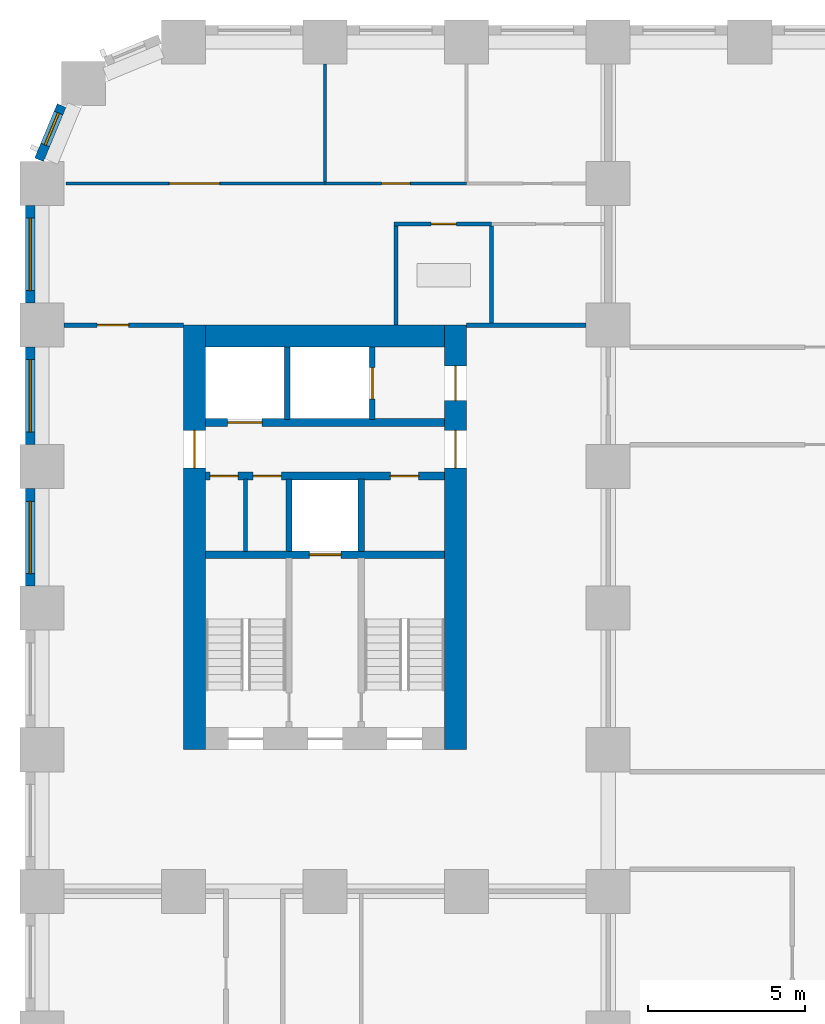
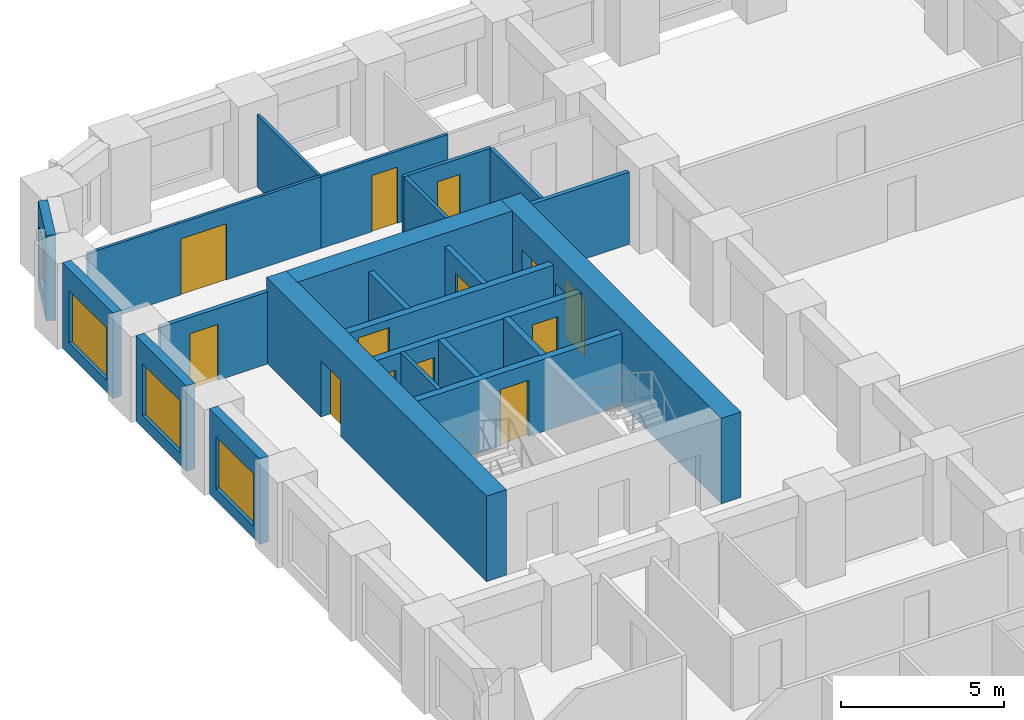
# One storey, part 6 of 12: 23 walls, 13 doors, 4 windows, 17 openings.
"""IFC4 building model written with IfcOpenShell, lengths in metres."""

from ifc_helpers import new_model, si_unit, direction, frame, frame_2d, origin, place, context, subcontext, project, spatial, rectangle, extrude, material, layer, layer_set, type_object, element, fill, save


model = new_model("IFC4")

# Units and contexts
model_context = context("Model", 3, precision=1e-05, world=origin(), true_north=direction((0.0, 1.0)))
body_context = subcontext(model_context, "Body", "Model", "MODEL_VIEW")
ifc_project = project(units=[si_unit("LENGTHUNIT", "METRE"), si_unit("AREAUNIT", "SQUARE_METRE"), si_unit("VOLUMEUNIT", "CUBIC_METRE"), si_unit("PLANEANGLEUNIT", "RADIAN"), si_unit("MASSUNIT", "GRAM", prefix="KILO")], contexts=[model_context])

# Site, building, storey
site_placement = place(None, origin())
site = spatial("IfcSite", under=ifc_project, at=site_placement, CompositionType="ELEMENT")
building_placement = place(site_placement, origin())
building = spatial("IfcBuilding", under=site, at=building_placement, Name="Girih Gate Residences", CompositionType="ELEMENT")
storey_placement = place(building_placement, frame((0.0, 0.0, 72.0)))
storey = spatial("IfcBuildingStorey", under=building, at=storey_placement, Name="L19", CompositionType="ELEMENT", Elevation=72.0)

# Wall
ifc_material_1 = material(Name="Gypsum board on steel studs", Category="steel")
ifc_layer_1 = layer(ifc_material_1, 0.14990234375)
ifc_layer_set_1 = layer_set([ifc_layer_1], Name="Compartment wall 150 mm")
wall_type_1 = type_object("IfcWallType", Name="Compartment wall 150 mm", PredefinedType="PARTITIONING", material=ifc_layer_set_1)
wall_1_placement = place(storey_placement, frame((13.5, 40.5, 0.0), z_axis=(0.0, 0.0, 1.0), x_axis=(1.0, 0.0, 0.0)))
element("IfcWall", 1, at=wall_1_placement, inside=storey, type_object=wall_type_1, Name="L19 partition", PredefinedType="PARTITIONING", context=body_context, shape_type="SweptSolid", body=[
    extrude(rectangle(XDim=3.800048828125, YDim=0.14990234375, at=frame_2d((1.89990234375, 0.0))), origin(), (0.0, 0.0, 1.0), 2.699951171875),
])

# Wall, opening, door
wall_2_placement = place(storey_placement, frame((0.699951171875, 40.5, 0.0), z_axis=(0.0, 0.0, 1.0), x_axis=(1.0, 0.0, 0.0)))
wall_2 = element("IfcWall", 2, at=wall_2_placement, inside=storey, type_object=wall_type_1, Name="L19 partition", PredefinedType="PARTITIONING", context=body_context, shape_type="SweptSolid", body=[
    extrude(rectangle(XDim=3.800048828125, YDim=0.14990234375, at=frame_2d((1.89990234375, 0.0))), origin(), (0.0, 0.0, 1.0), 2.699951171875),
])
opening_1_placement = place(wall_2_placement, frame((1.050048828125, 0.0, 0.0)))
opening_1 = element("IfcOpeningElement", 3, at=opening_1_placement, cuts=wall_2, Name="Opening A19-013", PredefinedType="OPENING", context=body_context, shape_type="SweptSolid", body=[
    extrude(rectangle(XDim=1.0, YDim=2.10009765625, at=frame_2d((0.5, 1.050048828125))), frame((0.0, 0.0849609375, 0.0), z_axis=(0.0, -1.0, 0.0), x_axis=(1.0, 0.0, 0.0)), (0.0, 0.0, 1.0), 0.169921875),
])
ifc_material_2 = material(Name="Timber, fire-rated core", Category="wood")
door_type_1 = type_object("IfcDoorType", Name="Flat entrance door 1000x2100 FD30S", OperationType="NOTDEFINED", PredefinedType="DOOR", material=ifc_material_2)
door_1_placement = place(opening_1_placement, origin())
door_1 = element("IfcDoor", 4, at=door_1_placement, inside=storey, type_object=door_type_1, Name="Door A19-013", OperationType="SINGLE_SWING_LEFT", OverallHeight=2.10009765625, OverallWidth=1.0, PredefinedType="DOOR", context=body_context, shape_type="SweptSolid", body=[
    extrude(rectangle(XDim=1.0, YDim=2.10009765625, at=frame_2d((0.5, 1.050048828125))), frame((0.0, 0.02490234375, 0.0), z_axis=(0.0, -1.0, 0.0), x_axis=(1.0, 0.0, 0.0)), (0.0, 0.0, 1.0), 0.050048828125),
])
fill(opening_1, door_1)

# Wall
ifc_material_3 = material(Name="Concrete C60/75", Category="concrete")
ifc_layer_2 = layer(ifc_material_3, 0.699951171875)
ifc_layer_set_2 = layer_set([ifc_layer_2], Name="Core wall RC 700 Concrete C60/75")
wall_type_2 = type_object("IfcWallType", Name="Core wall RC 700 Concrete C60/75", PredefinedType="SOLIDWALL", material=ifc_layer_set_2)
wall_3_placement = place(storey_placement, frame((5.199951171875, 40.14990234375, 0.0), z_axis=(0.0, 0.0, 1.0), x_axis=(1.0, 0.0, 0.0)))
element("IfcWall", 5, at=wall_3_placement, inside=storey, type_object=wall_type_2, Name="Core wall W-N L19", PredefinedType="SOLIDWALL", context=body_context, shape_type="SweptSolid", body=[
    extrude(rectangle(XDim=7.60009765625, YDim=0.699951171875, at=frame_2d((3.800048828125, 0.0))), origin(), (0.0, 0.0, 1.0), 3.199951171875),
])

# Wall, opening, door
wall_4_placement = place(storey_placement, frame((4.85009765625, 27.0, 0.0), z_axis=(0.0, 0.0, 1.0), x_axis=(0.0, 1.0, 0.0)))
wall_4 = element("IfcWall", 6, at=wall_4_placement, inside=storey, type_object=wall_type_2, Name="Core wall W-W L19", PredefinedType="SOLIDWALL", context=body_context, shape_type="SweptSolid", body=[
    extrude(rectangle(XDim=13.5, YDim=0.699951171875, at=frame_2d((6.75, 0.0))), origin(), (0.0, 0.0, 1.0), 3.199951171875),
])
opening_2_placement = place(wall_4_placement, frame((8.949951171875, 0.0, 0.0)))
opening_2 = element("IfcOpeningElement", 7, at=opening_2_placement, cuts=wall_4, Name="Opening D-L19-W-013", PredefinedType="OPENING", context=body_context, shape_type="SweptSolid", body=[
    extrude(rectangle(XDim=1.199951171875, YDim=2.10009765625, at=frame_2d((0.60009765625, 1.050048828125))), frame((0.0, 0.35986328125, 0.0), z_axis=(0.0, -1.0, 0.0), x_axis=(1.0, 0.0, 0.0)), (0.0, 0.0, 1.0), 0.719970703125),
])
ifc_material_4 = material(Name="Painted steel, fire-resisting", Category="steel")
door_type_2 = type_object("IfcDoorType", Name="Fire door 1200x2100", OperationType="SINGLE_SWING_LEFT", PredefinedType="DOOR", material=ifc_material_4)
door_2_placement = place(opening_2_placement, origin())
door_2 = element("IfcDoor", 8, at=door_2_placement, inside=storey, type_object=door_type_2, Name="L19 W core door ll-w", OperationType="SINGLE_SWING_LEFT", OverallHeight=2.10009765625, OverallWidth=1.199951171875, PredefinedType="DOOR", context=body_context, shape_type="SweptSolid", body=[
    extrude(rectangle(XDim=1.199951171875, YDim=2.10009765625, at=frame_2d((0.60009765625, 1.050048828125))), frame((0.0, 0.02490234375, 0.0), z_axis=(0.0, -1.0, 0.0), x_axis=(1.0, 0.0, 0.0)), (0.0, 0.0, 1.0), 0.050048828125),
])
fill(opening_2, door_2)

# Wall, openings, doors
wall_5_placement = place(storey_placement, frame((13.14990234375, 27.0, 0.0), z_axis=(0.0, 0.0, 1.0), x_axis=(0.0, 1.0, 0.0)))
wall_5 = element("IfcWall", 9, at=wall_5_placement, inside=storey, type_object=wall_type_2, Name="Core wall W-E L19", PredefinedType="SOLIDWALL", context=body_context, shape_type="SweptSolid", body=[
    extrude(rectangle(XDim=13.5, YDim=0.699951171875, at=frame_2d((6.75, 0.0))), origin(), (0.0, 0.0, 1.0), 3.199951171875),
])
opening_3_placement = place(wall_5_placement, frame((11.10009765625, 0.0, 0.0)))
opening_3 = element("IfcOpeningElement", 10, at=opening_3_placement, cuts=wall_5, Name="Opening D-L19-W-012", PredefinedType="OPENING", context=body_context, shape_type="SweptSolid", body=[
    extrude(rectangle(XDim=1.10009765625, YDim=2.10009765625, at=frame_2d((0.550048828125, 1.050048828125))), frame((0.0, 0.35986328125, 0.0), z_axis=(0.0, -1.0, 0.0), x_axis=(1.0, 0.0, 0.0)), (0.0, 0.0, 1.0), 0.719970703125),
])
opening_4_placement = place(wall_5_placement, frame((8.949951171875, 0.0, 0.0)))
opening_4 = element("IfcOpeningElement", 11, at=opening_4_placement, cuts=wall_5, Name="Opening D-L19-W-014", PredefinedType="OPENING", context=body_context, shape_type="SweptSolid", body=[
    extrude(rectangle(XDim=1.199951171875, YDim=2.10009765625, at=frame_2d((0.60009765625, 1.050048828125))), frame((0.0, 0.35986328125, 0.0), z_axis=(0.0, -1.0, 0.0), x_axis=(1.0, 0.0, 0.0)), (0.0, 0.0, 1.0), 0.719970703125),
])
door_type_3 = type_object("IfcDoorType", Name="Fire door 1100x2100", OperationType="SINGLE_SWING_LEFT", PredefinedType="DOOR", material=ifc_material_4)
door_3_placement = place(opening_3_placement, origin())
door_3 = element("IfcDoor", 12, at=door_3_placement, inside=storey, type_object=door_type_3, Name="L19 W core door ffl2-e", OperationType="SINGLE_SWING_LEFT", OverallHeight=2.10009765625, OverallWidth=1.10009765625, PredefinedType="DOOR", context=body_context, shape_type="SweptSolid", body=[
    extrude(rectangle(XDim=1.10009765625, YDim=2.10009765625, at=frame_2d((0.550048828125, 1.050048828125))), frame((0.0, 0.02490234375, 0.0), z_axis=(0.0, -1.0, 0.0), x_axis=(1.0, 0.0, 0.0)), (0.0, 0.0, 1.0), 0.050048828125),
])
fill(opening_3, door_3)
door_4_placement = place(opening_4_placement, origin())
door_4 = element("IfcDoor", 13, at=door_4_placement, inside=storey, type_object=door_type_2, Name="L19 W core door ll-e", OperationType="SINGLE_SWING_LEFT", OverallHeight=2.10009765625, OverallWidth=1.199951171875, PredefinedType="DOOR", context=body_context, shape_type="SweptSolid", body=[
    extrude(rectangle(XDim=1.199951171875, YDim=2.10009765625, at=frame_2d((0.60009765625, 1.050048828125))), frame((0.0, 0.02490234375, 0.0), z_axis=(0.0, -1.0, 0.0), x_axis=(1.0, 0.0, 0.0)), (0.0, 0.0, 1.0), 0.050048828125),
])
fill(opening_4, door_4)

# Wall, opening, door
ifc_material_5 = material(Name="Concrete C40/50", Category="concrete")
ifc_layer_3 = layer(ifc_material_5, 0.25)
ifc_layer_set_3 = layer_set([ifc_layer_3], Name="Lift shaft wall 250")
wall_type_3 = type_object("IfcWallType", Name="Lift shaft wall 250", PredefinedType="SOLIDWALL", material=ifc_layer_set_3)
wall_6_placement = place(storey_placement, frame((5.199951171875, 33.199951171875, 0.0), z_axis=(0.0, 0.0, 1.0), x_axis=(1.0, 0.0, 0.0)))
wall_6 = element("IfcWall", 14, at=wall_6_placement, inside=storey, type_object=wall_type_3, Name="L19 W core wall H1", PredefinedType="SOLIDWALL", context=body_context, shape_type="SweptSolid", body=[
    extrude(rectangle(XDim=7.60009765625, YDim=0.25, at=frame_2d((3.800048828125, 0.0))), origin(), (0.0, 0.0, 1.0), 2.699951171875),
])
opening_5_placement = place(wall_6_placement, frame((3.300048828125, 0.0, 0.0)))
opening_5 = element("IfcOpeningElement", 15, at=opening_5_placement, cuts=wall_6, Name="Opening D-L19-W-005", PredefinedType="OPENING", context=body_context, shape_type="SweptSolid", body=[
    extrude(rectangle(XDim=1.0, YDim=2.10009765625, at=frame_2d((0.5, 1.050048828125))), frame((0.0, 0.135009765625, 0.0), z_axis=(0.0, -1.0, 0.0), x_axis=(1.0, 0.0, 0.0)), (0.0, 0.0, 1.0), 0.27001953125),
])
ifc_material_6 = material(Name="Stainless steel, fire-resisting", Category="steel")
door_type_4 = type_object("IfcDoorType", Name="Firefighting lift landing door 1000x2100", OperationType="SLIDING_TO_LEFT", PredefinedType="DOOR", material=ifc_material_6)
door_5_placement = place(opening_5_placement, origin())
door_5 = element("IfcDoor", 16, at=door_5_placement, inside=storey, type_object=door_type_4, Name="L19 lift FF-W landing door", OperationType="SLIDING_TO_LEFT", OverallHeight=2.10009765625, OverallWidth=1.0, PredefinedType="DOOR", context=body_context, shape_type="SweptSolid", body=[
    extrude(rectangle(XDim=1.0, YDim=2.10009765625, at=frame_2d((0.5, 1.050048828125))), frame((0.0, 0.02490234375, 0.0), z_axis=(0.0, -1.0, 0.0), x_axis=(1.0, 0.0, 0.0)), (0.0, 0.0, 1.0), 0.050048828125),
])
fill(opening_5, door_5)

# Wall, openings, doors
wall_7_placement = place(storey_placement, frame((5.199951171875, 35.699951171875, 0.0), z_axis=(0.0, 0.0, 1.0), x_axis=(1.0, 0.0, 0.0)))
wall_7 = element("IfcWall", 17, at=wall_7_placement, inside=storey, type_object=wall_type_3, Name="L19 W core wall H2", PredefinedType="SOLIDWALL", context=body_context, shape_type="SweptSolid", body=[
    extrude(rectangle(XDim=7.60009765625, YDim=0.25, at=frame_2d((3.800048828125, 0.0))), origin(), (0.0, 0.0, 1.0), 2.699951171875),
])
opening_6_placement = place(wall_7_placement, frame((0.137451171875, 0.0, 0.0)))
opening_6 = element("IfcOpeningElement", 18, at=opening_6_placement, cuts=wall_7, Name="Opening D-L19-W-006", PredefinedType="OPENING", context=body_context, shape_type="SweptSolid", body=[
    extrude(rectangle(XDim=0.89990234375, YDim=2.10009765625, at=frame_2d((0.449951171875, 1.050048828125))), frame((0.0, 0.135009765625, 0.0), z_axis=(0.0, -1.0, 0.0), x_axis=(1.0, 0.0, 0.0)), (0.0, 0.0, 1.0), 0.27001953125),
])
opening_7_placement = place(wall_7_placement, frame((1.512451171875, 0.0, 0.0)))
opening_7 = element("IfcOpeningElement", 19, at=opening_7_placement, cuts=wall_7, Name="Opening D-L19-W-007", PredefinedType="OPENING", context=body_context, shape_type="SweptSolid", body=[
    extrude(rectangle(XDim=0.89990234375, YDim=2.10009765625, at=frame_2d((0.449951171875, 1.050048828125))), frame((0.0, 0.135009765625, 0.0), z_axis=(0.0, -1.0, 0.0), x_axis=(1.0, 0.0, 0.0)), (0.0, 0.0, 1.0), 0.27001953125),
])
opening_8_placement = place(wall_7_placement, frame((5.875, 0.0, 0.0)))
opening_8 = element("IfcOpeningElement", 20, at=opening_8_placement, cuts=wall_7, Name="Opening D-L19-W-008", PredefinedType="OPENING", context=body_context, shape_type="SweptSolid", body=[
    extrude(rectangle(XDim=0.89990234375, YDim=2.10009765625, at=frame_2d((0.449951171875, 1.050048828125))), frame((0.0, 0.135009765625, 0.0), z_axis=(0.0, -1.0, 0.0), x_axis=(1.0, 0.0, 0.0)), (0.0, 0.0, 1.0), 0.27001953125),
])
door_type_5 = type_object("IfcDoorType", Name="Fire door 900x2100", OperationType="SINGLE_SWING_LEFT", PredefinedType="DOOR", material=ifc_material_4)
door_6_placement = place(opening_6_placement, origin())
door_6 = element("IfcDoor", 21, at=door_6_placement, inside=storey, type_object=door_type_5, Name="L19 W linen store door", OperationType="SINGLE_SWING_LEFT", OverallHeight=2.10009765625, OverallWidth=0.89990234375, PredefinedType="DOOR", context=body_context, shape_type="SweptSolid", body=[
    extrude(rectangle(XDim=0.89990234375, YDim=2.10009765625, at=frame_2d((0.449951171875, 1.050048828125))), frame((0.0, 0.02490234375, 0.0), z_axis=(0.0, -1.0, 0.0), x_axis=(1.0, 0.0, 0.0)), (0.0, 0.0, 1.0), 0.050048828125),
])
fill(opening_6, door_6)
door_7_placement = place(opening_7_placement, origin())
door_7 = element("IfcDoor", 22, at=door_7_placement, inside=storey, type_object=door_type_5, Name="L19 W housekeeping store door", OperationType="SINGLE_SWING_LEFT", OverallHeight=2.10009765625, OverallWidth=0.89990234375, PredefinedType="DOOR", context=body_context, shape_type="SweptSolid", body=[
    extrude(rectangle(XDim=0.89990234375, YDim=2.10009765625, at=frame_2d((0.449951171875, 1.050048828125))), frame((0.0, 0.02490234375, 0.0), z_axis=(0.0, -1.0, 0.0), x_axis=(1.0, 0.0, 0.0)), (0.0, 0.0, 1.0), 0.050048828125),
])
fill(opening_7, door_7)
door_8_placement = place(opening_8_placement, origin())
door_8 = element("IfcDoor", 23, at=door_8_placement, inside=storey, type_object=door_type_5, Name="L19 W comms room door", OperationType="SINGLE_SWING_LEFT", OverallHeight=2.10009765625, OverallWidth=0.89990234375, PredefinedType="DOOR", context=body_context, shape_type="SweptSolid", body=[
    extrude(rectangle(XDim=0.89990234375, YDim=2.10009765625, at=frame_2d((0.449951171875, 1.050048828125))), frame((0.0, 0.02490234375, 0.0), z_axis=(0.0, -1.0, 0.0), x_axis=(1.0, 0.0, 0.0)), (0.0, 0.0, 1.0), 0.050048828125),
])
fill(opening_8, door_8)

# Wall, opening, door
wall_8_placement = place(storey_placement, frame((5.199951171875, 37.39990234375, 0.0), z_axis=(0.0, 0.0, 1.0), x_axis=(1.0, 0.0, 0.0)))
wall_8 = element("IfcWall", 24, at=wall_8_placement, inside=storey, type_object=wall_type_3, Name="L19 W core wall H3", PredefinedType="SOLIDWALL", context=body_context, shape_type="SweptSolid", body=[
    extrude(rectangle(XDim=7.60009765625, YDim=0.25, at=frame_2d((3.800048828125, 0.0))), origin(), (0.0, 0.0, 1.0), 2.699951171875),
])
opening_9_placement = place(wall_8_placement, frame((0.699951171875, 0.0, 0.0)))
opening_9 = element("IfcOpeningElement", 25, at=opening_9_placement, cuts=wall_8, Name="Opening D-L19-W-003", PredefinedType="OPENING", context=body_context, shape_type="SweptSolid", body=[
    extrude(rectangle(XDim=1.10009765625, YDim=2.39990234375, at=frame_2d((0.550048828125, 1.199951171875))), frame((0.0, 0.135009765625, 0.0), z_axis=(0.0, -1.0, 0.0), x_axis=(1.0, 0.0, 0.0)), (0.0, 0.0, 1.0), 0.27001953125),
])
ifc_material_7 = material(Name="Stainless steel", Category="steel")
door_type_6 = type_object("IfcDoorType", Name="Lift landing door 1100x2400", OperationType="SLIDING_TO_LEFT", PredefinedType="DOOR", material=ifc_material_7)
door_9_placement = place(opening_9_placement, origin())
door_9 = element("IfcDoor", 26, at=door_9_placement, inside=storey, type_object=door_type_6, Name="L19 lift LR-W1 landing door", OperationType="SLIDING_TO_LEFT", OverallHeight=2.39990234375, OverallWidth=1.10009765625, PredefinedType="DOOR", context=body_context, shape_type="SweptSolid", body=[
    extrude(rectangle(XDim=1.10009765625, YDim=2.39990234375, at=frame_2d((0.550048828125, 1.199951171875))), frame((0.0, 0.02490234375, 0.0), z_axis=(0.0, -1.0, 0.0), x_axis=(1.0, 0.0, 0.0)), (0.0, 0.0, 1.0), 0.050048828125),
])
fill(opening_9, door_9)

ifc_layer_4 = layer(ifc_material_1, 0.10009765625)
ifc_layer_set_4 = layer_set([ifc_layer_4], Name="Partition 100 mm")
wall_type_4 = type_object("IfcWallType", Name="Partition 100 mm", PredefinedType="PARTITIONING", material=ifc_layer_set_4)
wall_9_placement = place(storey_placement, frame((9.0, 45.0, 0.0), z_axis=(0.0, 0.0, 1.0), x_axis=(1.0, 0.0, 0.0)))
wall_9 = element("IfcWall", 27, at=wall_9_placement, inside=storey, type_object=wall_type_4, Name="L19 partition", PredefinedType="PARTITIONING", context=body_context, shape_type="SweptSolid", body=[
    extrude(rectangle(XDim=4.5, YDim=0.10009765625, at=frame_2d((2.25, 0.0))), origin(), (0.0, 0.0, 1.0), 2.699951171875),
])
opening_10_placement = place(wall_9_placement, frame((1.800048828125, 0.0, 0.0)))
opening_10 = element("IfcOpeningElement", 28, at=opening_10_placement, cuts=wall_9, Name="Opening A19-009", PredefinedType="OPENING", context=body_context, shape_type="SweptSolid", body=[
    extrude(rectangle(XDim=0.89990234375, YDim=2.10009765625, at=frame_2d((0.449951171875, 1.050048828125))), frame((0.0, 0.06005859375, 0.0), z_axis=(0.0, -1.0, 0.0), x_axis=(1.0, 0.0, 0.0)), (0.0, 0.0, 1.0), 0.1201171875),
])
ifc_material_8 = material(Name="Timber", Category="wood")
door_type_7 = type_object("IfcDoorType", Name="Bedroom door 900x2100", OperationType="NOTDEFINED", PredefinedType="DOOR", material=ifc_material_8)
door_10_placement = place(opening_10_placement, origin())
door_10 = element("IfcDoor", 29, at=door_10_placement, inside=storey, type_object=door_type_7, Name="Door A19-009", OperationType="SINGLE_SWING_LEFT", OverallHeight=2.10009765625, OverallWidth=0.89990234375, PredefinedType="DOOR", context=body_context, shape_type="SweptSolid", body=[
    extrude(rectangle(XDim=0.89990234375, YDim=2.10009765625, at=frame_2d((0.449951171875, 1.050048828125))), frame((0.0, 0.02490234375, 0.0), z_axis=(0.0, -1.0, 0.0), x_axis=(1.0, 0.0, 0.0)), (0.0, 0.0, 1.0), 0.050048828125),
])
fill(opening_10, door_10)

# Wall
wall_10_placement = place(storey_placement, frame((9.0, 45.050048828125, 0.0), z_axis=(0.0, 0.0, 1.0), x_axis=(0.0, 1.0, 0.0)))
element("IfcWall", 30, at=wall_10_placement, inside=storey, type_object=wall_type_4, Name="L19 partition", PredefinedType="PARTITIONING", context=body_context, shape_type="SweptSolid", body=[
    extrude(rectangle(XDim=3.75, YDim=0.10009765625, at=frame_2d((1.875, 0.0))), origin(), (0.0, 0.0, 1.0), 2.699951171875),
])

# Wall, opening, door
wall_11_placement = place(storey_placement, frame((0.757568359375, 45.0, 0.0), z_axis=(0.0, 0.0, 1.0), x_axis=(1.0, 0.0, 0.0)))
wall_11 = element("IfcWall", 31, at=wall_11_placement, inside=storey, type_object=wall_type_4, Name="L19 partition", PredefinedType="PARTITIONING", context=body_context, shape_type="SweptSolid", body=[
    extrude(rectangle(XDim=8.242431640625, YDim=0.10009765625, at=frame_2d((4.12109375, 0.0))), origin(), (0.0, 0.0, 1.0), 2.699951171875),
])
opening_11_placement = place(wall_11_placement, frame((3.292236328125, 0.0, 0.0)))
opening_11 = element("IfcOpeningElement", 32, at=opening_11_placement, cuts=wall_11, Name="Opening A19-012", PredefinedType="OPENING", context=body_context, shape_type="SweptSolid", body=[
    extrude(rectangle(XDim=1.60009765625, YDim=2.10009765625, at=frame_2d((0.800048828125, 1.050048828125))), frame((0.0, 0.06005859375, 0.0), z_axis=(0.0, -1.0, 0.0), x_axis=(1.0, 0.0, 0.0)), (0.0, 0.0, 1.0), 0.1201171875),
])
door_type_8 = type_object("IfcDoorType", Name="Double leaf door 1600x2100", OperationType="NOTDEFINED", PredefinedType="DOOR", material=ifc_material_8)
door_11_placement = place(opening_11_placement, origin())
door_11 = element("IfcDoor", 33, at=door_11_placement, inside=storey, type_object=door_type_8, Name="Door A19-012", OperationType="SINGLE_SWING_LEFT", OverallHeight=2.10009765625, OverallWidth=1.60009765625, PredefinedType="DOOR", context=body_context, shape_type="SweptSolid", body=[
    extrude(rectangle(XDim=1.60009765625, YDim=2.10009765625, at=frame_2d((0.800048828125, 1.050048828125))), frame((0.0, 0.02490234375, 0.0), z_axis=(0.0, -1.0, 0.0), x_axis=(1.0, 0.0, 0.0)), (0.0, 0.0, 1.0), 0.050048828125),
])
fill(opening_11, door_11)

# Wall, opening, window
ifc_material_9 = material(Name="Precast concrete C50/60", Category="concrete")
ifc_layer_5 = layer(ifc_material_9, 0.080078125, Name="Outer leaf")
ifc_material_10 = material(Name="Rigid PIR insulation")
ifc_layer_6 = layer(ifc_material_10, 0.14990234375, Name="Insulation")
ifc_material_11 = material(Name="Precast concrete C40/50", Category="concrete")
ifc_layer_7 = layer(ifc_material_11, 0.070068359375, Name="Inner leaf")
ifc_layer_set_5 = layer_set([ifc_layer_5, ifc_layer_6, ifc_layer_7], Name="Precast concrete C50/60 external wall 300")
wall_type_5 = type_object("IfcWallType", Name="Precast concrete C50/60 external wall 300", PredefinedType="SOLIDWALL", material=ifc_layer_set_5)
wall_12_placement = place(storey_placement, frame((-0.09228515625, 45.75732421875, 0.0), z_axis=(0.0, 0.0, 1.0), x_axis=(0.382737135771, 0.923857286003, 0.0)))
wall_12 = element("IfcWall", 34, at=wall_12_placement, inside=storey, type_object=wall_type_5, Name="External wall NW0013_0482.0", PredefinedType="SOLIDWALL", context=body_context, shape_type="SweptSolid", body=[
    extrude(rectangle(XDim=1.865234375, YDim=0.300048828125, at=frame_2d((0.9326171875, 0.0))), origin(), (0.0, 0.0, 1.0), 3.199951171875),
])
opening_12_placement = place(wall_12_placement, frame((0.507568359375, 0.0, 0.449951171875)))
opening_12 = element("IfcOpeningElement", 35, at=opening_12_placement, cuts=wall_12, Name="Opening W-2C", PredefinedType="OPENING", context=body_context, shape_type="SweptSolid", body=[
    extrude(rectangle(XDim=1.10009765625, YDim=1.949951171875, at=frame_2d((0.550048828125, 0.97509765625))), frame((0.0, 0.159912109375, 0.0), z_axis=(0.0, -1.0, 0.0), x_axis=(1.0, 0.0, 0.0)), (0.0, 0.0, 1.0), 0.320068359375),
])
ifc_material_12 = material(Name="Double glazing in aluminium frame", Category="aluminium")
window_type_1 = type_object("IfcWindowType", Name="Window W-2C 1100x1950", PartitioningType="SINGLE_PANEL", PredefinedType="WINDOW", material=ifc_material_12)
window_1_placement = place(opening_12_placement, origin())
window_1 = element("IfcWindow", 36, at=window_1_placement, inside=storey, type_object=window_type_1, Name="Window W-2C NW0013_0482.0", OverallHeight=1.949951171875, OverallWidth=1.10009765625, PartitioningType="SINGLE_PANEL", PredefinedType="WINDOW", context=body_context, shape_type="SweptSolid", body=[
    extrude(rectangle(XDim=1.10009765625, YDim=1.949951171875, at=frame_2d((0.550048828125, 0.97509765625))), frame((0.0, 0.030029296875, 0.0), z_axis=(0.0, -1.0, 0.0), x_axis=(1.0, 0.0, 0.0)), (0.0, 0.0, 1.0), 0.06005859375),
])
fill(opening_12, window_1)

wall_13_placement = place(storey_placement, frame((-0.375, 41.199951171875, 0.0), z_axis=(0.0, 0.0, 1.0), x_axis=(0.0, 1.0, 0.0)))
wall_13 = element("IfcWall", 37, at=wall_13_placement, inside=storey, type_object=wall_type_5, Name="External wall W0000_0450.0", PredefinedType="SOLIDWALL", context=body_context, shape_type="SweptSolid", body=[
    extrude(rectangle(XDim=3.10009765625, YDim=0.300048828125, at=frame_2d((1.550048828125, 0.0))), origin(), (0.0, 0.0, 1.0), 3.199951171875),
])
opening_13_placement = place(wall_13_placement, frame((0.39990234375, 0.0, 0.449951171875)))
opening_13 = element("IfcOpeningElement", 38, at=opening_13_placement, cuts=wall_13, Name="Opening W-1", PredefinedType="OPENING", context=body_context, shape_type="SweptSolid", body=[
    extrude(rectangle(XDim=2.300048828125, YDim=1.949951171875, at=frame_2d((1.14990234375, 0.97509765625))), frame((0.0, 0.159912109375, 0.0), z_axis=(0.0, -1.0, 0.0), x_axis=(1.0, 0.0, 0.0)), (0.0, 0.0, 1.0), 0.320068359375),
])
window_type_2 = type_object("IfcWindowType", Name="Window W-1 2300x1950", PartitioningType="SINGLE_PANEL", PredefinedType="WINDOW", material=ifc_material_12)
window_2_placement = place(opening_13_placement, origin())
window_2 = element("IfcWindow", 39, at=window_2_placement, inside=storey, type_object=window_type_2, Name="Window W-1 W0000_0450.0", OverallHeight=1.949951171875, OverallWidth=2.300048828125, PartitioningType="SINGLE_PANEL", PredefinedType="WINDOW", context=body_context, shape_type="SweptSolid", body=[
    extrude(rectangle(XDim=2.300048828125, YDim=1.949951171875, at=frame_2d((1.14990234375, 0.97509765625))), frame((0.0, 0.030029296875, 0.0), z_axis=(0.0, -1.0, 0.0), x_axis=(1.0, 0.0, 0.0)), (0.0, 0.0, 1.0), 0.06005859375),
])
fill(opening_13, window_2)

wall_14_placement = place(storey_placement, frame((-0.375, 36.699951171875, 0.0), z_axis=(0.0, 0.0, 1.0), x_axis=(0.0, 1.0, 0.0)))
wall_14 = element("IfcWall", 40, at=wall_14_placement, inside=storey, type_object=wall_type_5, Name="External wall W0000_0450.1", PredefinedType="SOLIDWALL", context=body_context, shape_type="SweptSolid", body=[
    extrude(rectangle(XDim=3.10009765625, YDim=0.300048828125, at=frame_2d((1.550048828125, 0.0))), origin(), (0.0, 0.0, 1.0), 3.199951171875),
])
opening_14_placement = place(wall_14_placement, frame((0.39990234375, 0.0, 0.449951171875)))
opening_14 = element("IfcOpeningElement", 41, at=opening_14_placement, cuts=wall_14, Name="Opening W-1", PredefinedType="OPENING", context=body_context, shape_type="SweptSolid", body=[
    extrude(rectangle(XDim=2.300048828125, YDim=1.949951171875, at=frame_2d((1.14990234375, 0.97509765625))), frame((0.0, 0.159912109375, 0.0), z_axis=(0.0, -1.0, 0.0), x_axis=(1.0, 0.0, 0.0)), (0.0, 0.0, 1.0), 0.320068359375),
])
window_3_placement = place(opening_14_placement, origin())
window_3 = element("IfcWindow", 42, at=window_3_placement, inside=storey, type_object=window_type_2, Name="Window W-1 W0000_0450.1", OverallHeight=1.949951171875, OverallWidth=2.300048828125, PartitioningType="SINGLE_PANEL", PredefinedType="WINDOW", context=body_context, shape_type="SweptSolid", body=[
    extrude(rectangle(XDim=2.300048828125, YDim=1.949951171875, at=frame_2d((1.14990234375, 0.97509765625))), frame((0.0, 0.030029296875, 0.0), z_axis=(0.0, -1.0, 0.0), x_axis=(1.0, 0.0, 0.0)), (0.0, 0.0, 1.0), 0.06005859375),
])
fill(opening_14, window_3)

wall_15_placement = place(storey_placement, frame((-0.375, 32.199951171875, 0.0), z_axis=(0.0, 0.0, 1.0), x_axis=(0.0, 1.0, 0.0)))
wall_15 = element("IfcWall", 43, at=wall_15_placement, inside=storey, type_object=wall_type_5, Name="External wall W0000_0450.2", PredefinedType="SOLIDWALL", context=body_context, shape_type="SweptSolid", body=[
    extrude(rectangle(XDim=3.10009765625, YDim=0.300048828125, at=frame_2d((1.550048828125, 0.0))), origin(), (0.0, 0.0, 1.0), 3.199951171875),
])
opening_15_placement = place(wall_15_placement, frame((0.39990234375, 0.0, 0.449951171875)))
opening_15 = element("IfcOpeningElement", 44, at=opening_15_placement, cuts=wall_15, Name="Opening W-1", PredefinedType="OPENING", context=body_context, shape_type="SweptSolid", body=[
    extrude(rectangle(XDim=2.300048828125, YDim=1.949951171875, at=frame_2d((1.14990234375, 0.97509765625))), frame((0.0, 0.159912109375, 0.0), z_axis=(0.0, -1.0, 0.0), x_axis=(1.0, 0.0, 0.0)), (0.0, 0.0, 1.0), 0.320068359375),
])
window_4_placement = place(opening_15_placement, origin())
window_4 = element("IfcWindow", 45, at=window_4_placement, inside=storey, type_object=window_type_2, Name="Window W-1 W0000_0450.2", OverallHeight=1.949951171875, OverallWidth=2.300048828125, PartitioningType="SINGLE_PANEL", PredefinedType="WINDOW", context=body_context, shape_type="SweptSolid", body=[
    extrude(rectangle(XDim=2.300048828125, YDim=1.949951171875, at=frame_2d((1.14990234375, 0.97509765625))), frame((0.0, 0.030029296875, 0.0), z_axis=(0.0, -1.0, 0.0), x_axis=(1.0, 0.0, 0.0)), (0.0, 0.0, 1.0), 0.06005859375),
])
fill(opening_15, window_4)

# Wall
ifc_layer_8 = layer(ifc_material_5, 0.175048828125)
ifc_layer_set_6 = layer_set([ifc_layer_8], Name="Riser shaft wall 175")
wall_type_6 = type_object("IfcWallType", Name="Riser shaft wall 175", PredefinedType="SOLIDWALL", material=ifc_layer_set_6)
wall_16_placement = place(storey_placement, frame((7.800048828125, 37.5, 0.0), z_axis=(0.0, 0.0, 1.0), x_axis=(0.0, 1.0, 0.0)))
element("IfcWall", 46, at=wall_16_placement, inside=storey, type_object=wall_type_6, Name="L19 W core wall V1c", PredefinedType="SOLIDWALL", context=body_context, shape_type="SweptSolid", body=[
    extrude(rectangle(XDim=2.300048828125, YDim=0.175048828125, at=frame_2d((1.14990234375, 0.0))), origin(), (0.0, 0.0, 1.0), 2.699951171875),
])

# Wall, opening, door
wall_17_placement = place(storey_placement, frame((10.5, 37.5, 0.0), z_axis=(0.0, 0.0, 1.0), x_axis=(0.0, 1.0, 0.0)))
wall_17 = element("IfcWall", 47, at=wall_17_placement, inside=storey, type_object=wall_type_6, Name="L19 W core wall V2c", PredefinedType="SOLIDWALL", context=body_context, shape_type="SweptSolid", body=[
    extrude(rectangle(XDim=2.300048828125, YDim=0.175048828125, at=frame_2d((1.14990234375, 0.0))), origin(), (0.0, 0.0, 1.0), 2.699951171875),
])
opening_16_placement = place(wall_17_placement, frame((0.64990234375, 0.0, 0.0)))
opening_16 = element("IfcOpeningElement", 48, at=opening_16_placement, cuts=wall_17, Name="Opening D-L19-W-004", PredefinedType="OPENING", context=body_context, shape_type="SweptSolid", body=[
    extrude(rectangle(XDim=1.0, YDim=2.10009765625, at=frame_2d((0.5, 1.050048828125))), frame((0.0, 0.097412109375, 0.0), z_axis=(0.0, -1.0, 0.0), x_axis=(1.0, 0.0, 0.0)), (0.0, 0.0, 1.0), 0.195068359375),
])
door_12_placement = place(opening_16_placement, origin())
door_12 = element("IfcDoor", 49, at=door_12_placement, inside=storey, type_object=door_type_4, Name="L19 lift FF-W2 landing door", OperationType="SLIDING_TO_LEFT", OverallHeight=2.10009765625, OverallWidth=1.0, PredefinedType="DOOR", context=body_context, shape_type="SweptSolid", body=[
    extrude(rectangle(XDim=1.0, YDim=2.10009765625, at=frame_2d((0.5, 1.050048828125))), frame((0.0, 0.02490234375, 0.0), z_axis=(0.0, -1.0, 0.0), x_axis=(1.0, 0.0, 0.0)), (0.0, 0.0, 1.0), 0.050048828125),
])
fill(opening_16, door_12)

# Walls
ifc_layer_9 = layer(ifc_material_5, 0.199951171875)
ifc_layer_set_7 = layer_set([ifc_layer_9], Name="Shaft wall 200")
wall_type_7 = type_object("IfcWallType", Name="Shaft wall 200", PredefinedType="SOLIDWALL", material=ifc_layer_set_7)
for number, where, z_axis, x_axis, name in (
    (50, (7.85009765625, 33.300048828125, 0.0), (0.0, 0.0, 1.0), (0.0, 1.0, 0.0), "L19 W core wall V1b"),
    (51, (10.14990234375, 33.300048828125, 0.0), (0.0, 0.0, 1.0), (0.0, 1.0, 0.0), "L19 W core wall V2b"),
):
    element("IfcWall", number, at=place(storey_placement, frame(where, z_axis=z_axis, x_axis=x_axis)), inside=storey, type_object=wall_type_7, Name=name, PredefinedType="SOLIDWALL", context=body_context, shape_type="SweptSolid", body=[
        extrude(rectangle(XDim=2.300048828125, YDim=0.199951171875, at=frame_2d((1.14990234375, 0.0))), origin(), (0.0, 0.0, 1.0), 2.699951171875),
    ])
ifc_material_13 = material(Name="Calcium silicate blockwork", Category="masonry")
ifc_layer_10 = layer(ifc_material_13, 0.125)
ifc_layer_set_8 = layer_set([ifc_layer_10], Name="Store partition 125")
wall_type_8 = type_object("IfcWallType", Name="Store partition 125", PredefinedType="PARTITIONING", material=ifc_layer_set_8)
wall_18_placement = place(storey_placement, frame((6.47509765625, 33.300048828125, 0.0), z_axis=(0.0, 0.0, 1.0), x_axis=(0.0, 1.0, 0.0)))
element("IfcWall", 52, at=wall_18_placement, inside=storey, type_object=wall_type_8, Name="L19 W core wall SHR1", PredefinedType="PARTITIONING", context=body_context, shape_type="SweptSolid", body=[
    extrude(rectangle(XDim=2.300048828125, YDim=0.125, at=frame_2d((1.14990234375, 0.0))), origin(), (0.0, 0.0, 1.0), 2.699951171875),
])
ifc_layer_11 = layer(ifc_material_1, 0.125)
ifc_layer_set_9 = layer_set([ifc_layer_11], Name="Wet room wall 125 mm")
wall_type_9 = type_object("IfcWallType", Name="Wet room wall 125 mm", PredefinedType="PARTITIONING", material=ifc_layer_set_9)
wall_19_placement = place(storey_placement, frame((11.25, 40.5, 0.0), z_axis=(0.0, 0.0, 1.0), x_axis=(0.0, 1.0, 0.0)))
element("IfcWall", 53, at=wall_19_placement, inside=storey, type_object=wall_type_9, Name="L19 partition", PredefinedType="PARTITIONING", context=body_context, shape_type="SweptSolid", body=[
    extrude(rectangle(XDim=3.157470703125, YDim=0.125, at=frame_2d((1.57861328125, 0.0))), origin(), (0.0, 0.0, 1.0), 2.699951171875),
])

# Wall, opening, door
wall_20_placement = place(storey_placement, frame((14.295166015625, 43.719970703125, 0.0), z_axis=(0.0, 0.0, 1.0), x_axis=(-1.0, 0.0, 0.0)))
wall_20 = element("IfcWall", 54, at=wall_20_placement, inside=storey, type_object=wall_type_9, Name="L19 partition", PredefinedType="PARTITIONING", context=body_context, shape_type="SweptSolid", body=[
    extrude(rectangle(XDim=3.107666015625, YDim=0.125, at=frame_2d((1.5537109375, 0.0))), origin(), (0.0, 0.0, 1.0), 2.699951171875),
])
opening_17_placement = place(wall_20_placement, frame((1.12255859375, 0.0, 0.0)))
opening_17 = element("IfcOpeningElement", 55, at=opening_17_placement, cuts=wall_20, Name="Opening A19-008", PredefinedType="OPENING", context=body_context, shape_type="SweptSolid", body=[
    extrude(rectangle(XDim=0.800048828125, YDim=2.10009765625, at=frame_2d((0.39990234375, 1.050048828125))), frame((0.0, 0.072509765625, 0.0), z_axis=(0.0, -1.0, 0.0), x_axis=(1.0, 0.0, 0.0)), (0.0, 0.0, 1.0), 0.14501953125),
])
door_type_9 = type_object("IfcDoorType", Name="Bathroom door 800x2100", OperationType="NOTDEFINED", PredefinedType="DOOR", material=ifc_material_8)
door_13_placement = place(opening_17_placement, origin())
door_13 = element("IfcDoor", 56, at=door_13_placement, inside=storey, type_object=door_type_9, Name="Door A19-008", OperationType="SINGLE_SWING_LEFT", OverallHeight=2.10009765625, OverallWidth=0.800048828125, PredefinedType="DOOR", context=body_context, shape_type="SweptSolid", body=[
    extrude(rectangle(XDim=0.800048828125, YDim=2.10009765625, at=frame_2d((0.39990234375, 1.050048828125))), frame((0.0, 0.02490234375, 0.0), z_axis=(0.0, -1.0, 0.0), x_axis=(1.0, 0.0, 0.0)), (0.0, 0.0, 1.0), 0.050048828125),
])
fill(opening_17, door_13)

# Wall
wall_21_placement = place(storey_placement, frame((14.294921875, 40.574951171875, 0.0), z_axis=(0.0, 0.0, 1.0), x_axis=(0.0, 1.0, 0.0)))
element("IfcWall", 57, at=wall_21_placement, inside=storey, type_object=wall_type_9, Name="L19 partition", PredefinedType="PARTITIONING", context=body_context, shape_type="SweptSolid", body=[
    extrude(rectangle(XDim=3.08251953125, YDim=0.125, at=frame_2d((1.541259765625, 0.0))), origin(), (0.0, 0.0, 1.0), 2.699951171875),
])

save(model, "model.ifc")
